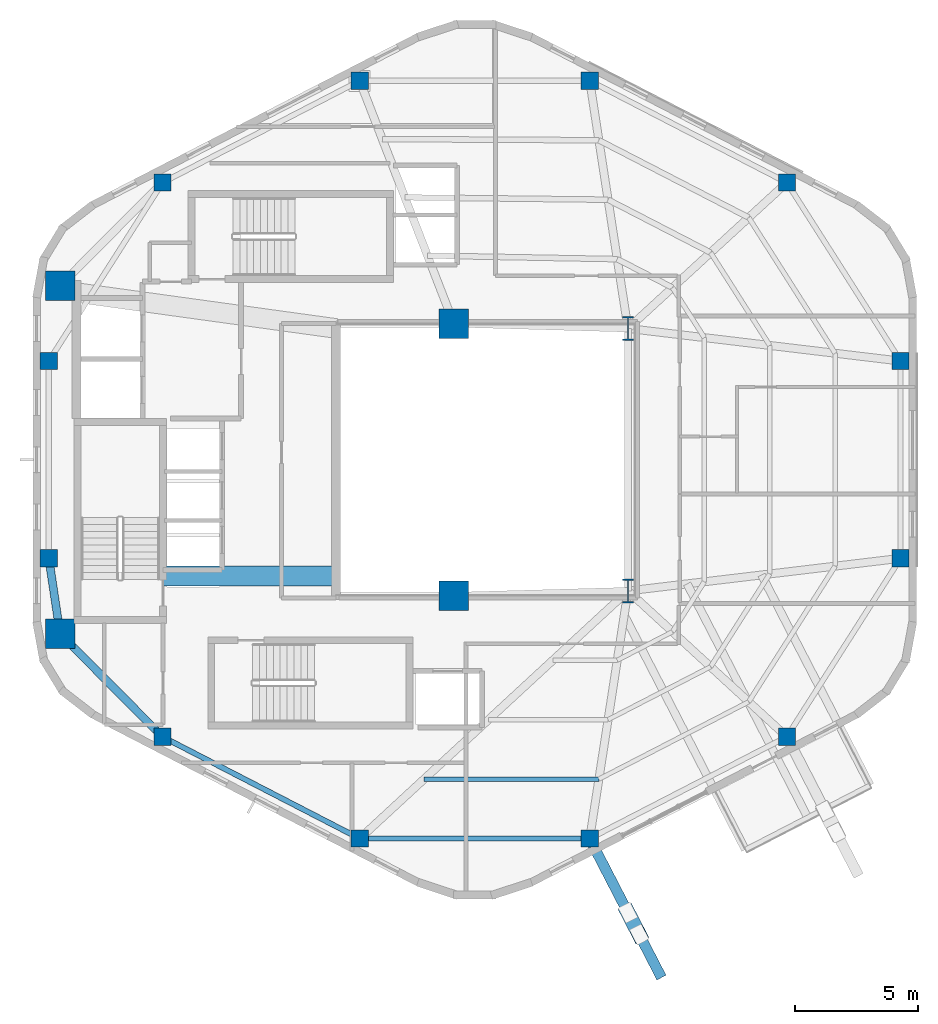
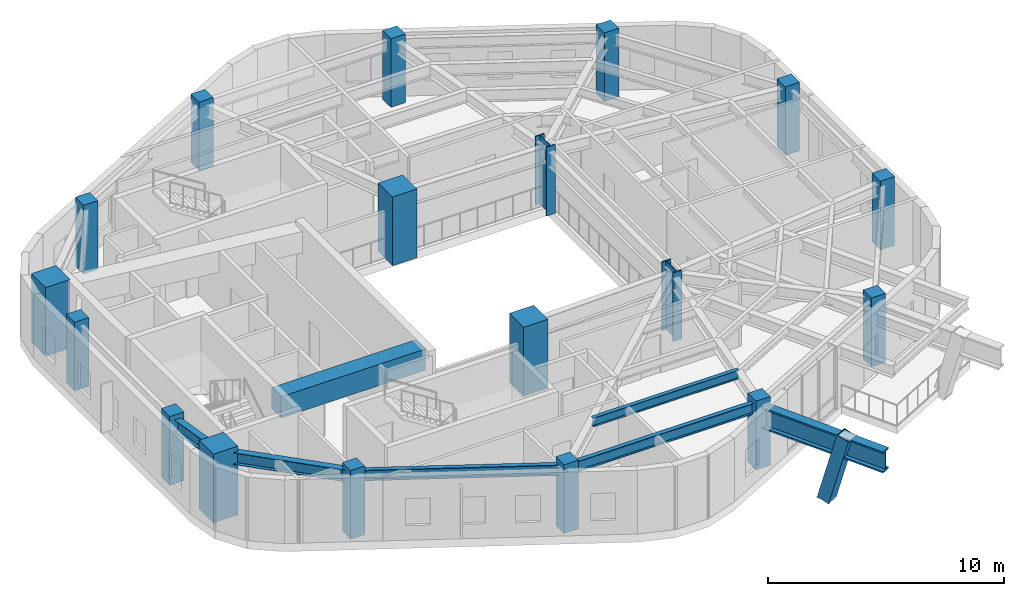
# One storey, part 1 of 9: 18 columns, 7 beams, 1 member.
"""IFC4 building model written with IfcOpenShell, lengths in metres."""

from ifc_helpers import new_model, si_unit, direction, frame, origin, origin_2d, place, context, subcontext, project, spatial, rectangle, hollow_rectangle, i_section, extrude, material, material_profile, profile_set, type_object, element, save


model = new_model("IFC4")

# Units and contexts
model_context = context("Model", 3, precision=1e-05, world=origin(), true_north=direction((0.0, 1.0)))
body_context = subcontext(model_context, "Body", "Model", "MODEL_VIEW")
ifc_project = project(units=[si_unit("LENGTHUNIT", "METRE"), si_unit("AREAUNIT", "SQUARE_METRE"), si_unit("VOLUMEUNIT", "CUBIC_METRE"), si_unit("PLANEANGLEUNIT", "RADIAN"), si_unit("MASSUNIT", "GRAM", prefix="KILO"), si_unit("THERMODYNAMICTEMPERATUREUNIT", "KELVIN"), si_unit("POWERUNIT", "WATT")], contexts=[model_context])

# Site, building, storey
site_placement = place(None, origin())
site = spatial("IfcSite", under=ifc_project, at=site_placement, CompositionType="ELEMENT")
building_placement = place(site_placement, origin())
building = spatial("IfcBuilding", under=site, at=building_placement, Name="Skarre Station Tower", CompositionType="ELEMENT")
storey_placement = place(building_placement, frame((0.0, 0.0, 220.60009765625)))
storey = spatial("IfcBuildingStorey", under=building, at=storey_placement, Name="L60", CompositionType="ELEMENT", Elevation=220.60009765625)

# Columns
ifc_material_1 = material(Name="Concrete C60/75", Category="concrete")
ifc_material_profile_1 = material_profile(ifc_material_1, rectangle(XDim=1.199951171875, YDim=1.199951171875, at=origin_2d()), Name="Concrete C60/75")
ifc_profile_set_1 = profile_set([ifc_material_profile_1], Name="Concrete C60/75")
column_type_1 = type_object("IfcColumnType", Name="RC Structural Column RC-COL-1200X1200", PredefinedType="COLUMN", material=ifc_profile_set_1)
for number, where, z_axis, x_axis, name in (
    (1, (16.300048828125, 16.89990234375, 0.0), (0.0, 0.0, 1.0), (1.0, 0.0, 0.0), "L60 Core Column CC-SW"),
    (2, (16.300048828125, 31.10009765625, 0.0), (0.0, 0.0, 1.0), (1.0, 0.0, 0.0), "L60 Core Column CC-NW"),
    (3, (32.35009765625, 18.449951171875, 0.0), (0.0, 0.0, 1.0), (1.0, 0.0, 0.0), "L60 Core Column CC-SE"),
    (4, (32.35009765625, 29.550048828125, 0.0), (0.0, 0.0, 1.0), (1.0, 0.0, 0.0), "L60 Core Column CC-NE"),
):
    element("IfcColumn", number, at=place(storey_placement, frame(where, z_axis=z_axis, x_axis=x_axis)), inside=storey, type_object=column_type_1, Name=name, PredefinedType="COLUMN", context=body_context, shape_type="SweptSolid", body=[
        extrude(rectangle(XDim=1.199951171875, YDim=1.199951171875, at=origin_2d()), origin(), (0.0, 0.0, 1.0), 3.5498046875),
    ])
ifc_material_2 = material(Name="Concrete C50/60", Category="concrete")
ifc_material_profile_2 = material_profile(ifc_material_2, rectangle(XDim=0.699951171875, YDim=0.699951171875, at=origin_2d()), Name="Concrete C50/60")
ifc_profile_set_2 = profile_set([ifc_material_profile_2], Name="Concrete C50/60")
column_type_2 = type_object("IfcColumnType", Name="RC Structural Column RC-COL-700X700", PredefinedType="COLUMN", material=ifc_profile_set_2)
for number, where, z_axis, x_axis, name in (
    (5, (45.927001953125, 35.298095703125, 0.0), (0.0, 0.0, 1.0), (1.0, 0.0, 0.0), "L60 Zone 4 Perimeter Column F0C1"),
    (6, (37.888916015625, 39.447021484375, 0.0), (0.0, 0.0, 1.0), (1.0, 0.0, 0.0), "L60 Zone 4 Perimeter Column F0C2"),
    (7, (28.510986328125, 39.447021484375, 0.0), (0.0, 0.0, 1.0), (1.0, 0.0, 0.0), "L60 Zone 4 Perimeter Column F1C1"),
    (8, (20.472900390625, 35.298095703125, 0.0), (0.0, 0.0, 1.0), (1.0, 0.0, 0.0), "L60 Zone 4 Perimeter Column F1C2"),
    (9, (15.8369140625, 28.02099609375, 0.0), (0.0, 0.0, 1.0), (1.0, 0.0, 0.0), "L60 Zone 4 Perimeter Column F2C1"),
    (10, (15.8369140625, 19.97900390625, 0.0), (0.0, 0.0, 1.0), (1.0, 0.0, 0.0), "L60 Zone 4 Perimeter Column F2C2"),
    (11, (20.472900390625, 12.701904296875, 0.0), (0.0, 0.0, 1.0), (1.0, 0.0, 0.0), "L60 Zone 4 Perimeter Column F3C1"),
    (12, (28.510986328125, 8.552978515625, 0.0), (0.0, 0.0, 1.0), (1.0, 0.0, 0.0), "L60 Zone 4 Perimeter Column F3C2"),
    (13, (37.888916015625, 8.552978515625, 0.0), (0.0, 0.0, 1.0), (1.0, 0.0, 0.0), "L60 Zone 4 Perimeter Column F4C1"),
    (14, (45.927001953125, 12.701904296875, 0.0), (0.0, 0.0, 1.0), (1.0, 0.0, 0.0), "L60 Zone 4 Perimeter Column F4C2"),
    (15, (50.56298828125, 19.97900390625, 0.0), (0.0, 0.0, 1.0), (1.0, 0.0, 0.0), "L60 Zone 4 Perimeter Column F5C1"),
    (16, (50.56298828125, 28.02099609375, 0.0), (0.0, 0.0, 1.0), (1.0, 0.0, 0.0), "L60 Zone 4 Perimeter Column F5C2"),
):
    element("IfcColumn", number, at=place(storey_placement, frame(where, z_axis=z_axis, x_axis=x_axis)), inside=storey, type_object=column_type_2, Name=name, PredefinedType="COLUMN", context=body_context, shape_type="SweptSolid", body=[
        extrude(rectangle(XDim=0.699951171875, YDim=0.699951171875, at=origin_2d()), origin(), (0.0, 0.0, 1.0), 3.5498046875),
    ])
ifc_material_3 = material(Name="Steel ASTM A913 Grade 65", Category="steel")
ifc_material_profile_3 = material_profile(ifc_material_3, i_section(OverallWidth=0.430908203125, OverallDepth=0.987060546875, WebThickness=0.033935546875, FlangeThickness=0.06201171875, at=origin_2d()), Name="Steel ASTM A913 Grade 65")
ifc_profile_set_3 = profile_set([ifc_material_profile_3], Name="Steel ASTM A913 Grade 65")
column_type_3 = type_object("IfcColumnType", Name="Steel Column W36X441", PredefinedType="COLUMN", material=ifc_profile_set_3)
for number, where, z_axis, x_axis, name in (
    (17, (39.449951171875, 18.64990234375, 0.0), (0.0, 0.0, 1.0), (1.0, 0.0, 0.0), "L60 Atrium Spine Column AC-SE"),
    (18, (39.449951171875, 29.35009765625, 0.0), (0.0, 0.0, 1.0), (1.0, 0.0, 0.0), "L60 Atrium Spine Column AC-NE"),
):
    element("IfcColumn", number, at=place(storey_placement, frame(where, z_axis=z_axis, x_axis=x_axis)), inside=storey, type_object=column_type_3, Name=name, PredefinedType="COLUMN", context=body_context, shape_type="SweptSolid", body=[
        extrude(i_section(OverallWidth=0.430908203125, OverallDepth=0.987060546875, WebThickness=0.033935546875, FlangeThickness=0.06201171875, at=origin_2d()), origin(), (0.0, 0.0, 1.0), 3.5498046875),
    ])

# Beams
ifc_material_4 = material(Name="Concrete C70/85", Category="concrete")
ifc_material_profile_4 = material_profile(ifc_material_4, rectangle(XDim=0.800048828125, YDim=1.10009765625, at=origin_2d()), Name="Concrete C70/85")
ifc_profile_set_4 = profile_set([ifc_material_profile_4], Name="Concrete C70/85")
beam_type_1 = type_object("IfcBeamType", Name="RC Core Coupling Lintel 800x1100", PredefinedType="LINTEL", material=ifc_profile_set_4)
beam_1_placement = place(storey_placement, frame((20.489990234375, 19.260009765625, 2.739990234375), z_axis=(1.0, 0.0, 0.0), x_axis=(0.0, 1.0, 0.0)))
element("IfcBeam", 19, at=beam_1_placement, inside=storey, type_object=beam_type_1, Name="L60 South Core Coupling Lintel", PredefinedType="LINTEL", context=body_context, shape_type="SweptSolid", body=[
    extrude(rectangle(XDim=0.800048828125, YDim=1.10009765625, at=origin_2d()), origin(), (0.0, 0.0, 1.0), 7.06005859375),
])
ifc_material_5 = material(Name="Steel ASTM A992 Grade 50", Category="steel")
ifc_material_profile_5 = material_profile(ifc_material_5, i_section(OverallWidth=0.323974609375, OverallDepth=0.611083984375, WebThickness=0.012939453125, FlangeThickness=0.01904296875, at=origin_2d()), Name="Steel ASTM A992 Grade 50")
ifc_profile_set_5 = profile_set([ifc_material_profile_5], Name="Steel ASTM A992 Grade 50")
beam_type_2 = type_object("IfcBeamType", Name="Steel Beam W24X104", PredefinedType="BEAM", material=ifc_profile_set_5)
beam_2_placement = place(storey_placement, frame((16.300048828125, 16.89990234375, 2.98388671875), z_axis=(-0.148739188492, 0.988876460336, 0.0), x_axis=(-0.988876460336, -0.148739188492, 0.0)))
element("IfcBeam", 20, at=beam_2_placement, inside=storey, type_object=beam_type_2, Name="L60 Radial Floor Girder F2C2", PredefinedType="BEAM", context=body_context, shape_type="SweptSolid", body=[
    extrude(i_section(OverallWidth=0.323974609375, OverallDepth=0.611083984375, WebThickness=0.012939453125, FlangeThickness=0.01904296875, at=origin_2d()), origin(), (0.0, 0.0, 1.0), 3.11376953125),
])
beam_3_placement = place(storey_placement, frame((16.300048828125, 16.89990234375, 2.98388671875), z_axis=(0.704979413242, -0.709227768002, 0.0), x_axis=(0.709227768002, 0.704979413242, 0.0)))
element("IfcBeam", 21, at=beam_3_placement, inside=storey, type_object=beam_type_2, Name="L60 Radial Floor Girder F3C1", PredefinedType="BEAM", context=body_context, shape_type="SweptSolid", body=[
    extrude(i_section(OverallWidth=0.323974609375, OverallDepth=0.611083984375, WebThickness=0.012939453125, FlangeThickness=0.01904296875, at=origin_2d()), origin(), (0.0, 0.0, 1.0), 5.919189453125),
])
ifc_material_profile_6 = material_profile(ifc_material_5, i_section(OverallWidth=0.19091796875, OverallDepth=0.45703125, WebThickness=0.009033203125, FlangeThickness=0.013916015625, at=origin_2d()), Name="Steel ASTM A992 Grade 50")
ifc_profile_set_6 = profile_set([ifc_material_profile_6], Name="Steel ASTM A992 Grade 50")
beam_type_3 = type_object("IfcBeamType", Name="Steel Joist W18X50", PredefinedType="JOIST", material=ifc_profile_set_6)
beam_4_placement = place(storey_placement, frame((31.135986328125, 10.97607421875, 3.060791015625), z_axis=(1.0, 0.0, 0.0), x_axis=(0.0, 1.0, 0.0)))
element("IfcBeam", 22, at=beam_4_placement, inside=storey, type_object=beam_type_3, Name="L60 Auxiliary Composite Joist 14", PredefinedType="JOIST", context=body_context, shape_type="SweptSolid", body=[
    extrude(i_section(OverallWidth=0.19091796875, OverallDepth=0.45703125, WebThickness=0.009033203125, FlangeThickness=0.013916015625, at=origin_2d()), origin(), (0.0, 0.0, 1.0), 7.1279296875),
])
ifc_material_profile_7 = material_profile(ifc_material_5, i_section(OverallWidth=0.214111328125, OverallDepth=0.549072265625, WebThickness=0.014892578125, FlangeThickness=0.02392578125, at=origin_2d()), Name="Steel ASTM A992 Grade 50")
ifc_profile_set_7 = profile_set([ifc_material_profile_7], Name="Steel ASTM A992 Grade 50")
beam_type_4 = type_object("IfcBeamType", Name="Steel Spandrel W21X93", PredefinedType="SPANDREL", material=ifc_profile_set_7)
beam_5_placement = place(storey_placement, frame((20.472900390625, 12.701904296875, 3.014892578125), z_axis=(0.888610011727, -0.458663544505, 0.0), x_axis=(0.458663544505, 0.888610011727, 0.0)))
element("IfcBeam", 23, at=beam_5_placement, inside=storey, type_object=beam_type_4, Name="L60 Facet Spandrel Beam 7", PredefinedType="SPANDREL", context=body_context, shape_type="SweptSolid", body=[
    extrude(i_section(OverallWidth=0.214111328125, OverallDepth=0.549072265625, WebThickness=0.014892578125, FlangeThickness=0.02392578125, at=origin_2d()), origin(), (0.0, 0.0, 1.0), 9.045654296875),
])
beam_6_placement = place(storey_placement, frame((28.510986328125, 8.552978515625, 3.014892578125), z_axis=(1.0, 0.0, 0.0), x_axis=(0.0, 1.0, 0.0)))
element("IfcBeam", 24, at=beam_6_placement, inside=storey, type_object=beam_type_4, Name="L60 Facet Spandrel Beam 8", PredefinedType="SPANDREL", context=body_context, shape_type="SweptSolid", body=[
    extrude(i_section(OverallWidth=0.214111328125, OverallDepth=0.549072265625, WebThickness=0.014892578125, FlangeThickness=0.02392578125, at=origin_2d()), origin(), (0.0, 0.0, 1.0), 9.3779296875),
])
ifc_material_profile_8 = material_profile(ifc_material_3, i_section(OverallWidth=0.424072265625, OverallDepth=1.092041015625, WebThickness=0.044921875, FlangeThickness=0.08203125, at=origin_2d()), Name="Steel ASTM A913 Grade 65")
ifc_profile_set_8 = profile_set([ifc_material_profile_8], Name="Steel ASTM A913 Grade 65")
beam_type_5 = type_object("IfcBeamType", Name="Steel Transfer Girder W40X593", PredefinedType="USERDEFINED", material=ifc_profile_set_8)
beam_7_placement = place(storey_placement, frame((37.888916015625, 8.552978515625, 2.583984375), z_axis=(0.458778404027, -0.888550716616, 0.0), x_axis=(0.888550716616, 0.458778404027, 0.0)))
element("IfcBeam", 25, at=beam_7_placement, inside=storey, type_object=beam_type_5, Name="L60 SB-5 Exoskeleton Tier-1 Transfer Girder S1", ObjectType="TRANSFER_GIRDER", PredefinedType="USERDEFINED", context=body_context, shape_type="SweptSolid", body=[
    extrude(i_section(OverallWidth=0.424072265625, OverallDepth=1.092041015625, WebThickness=0.044921875, FlangeThickness=0.08203125, at=origin_2d()), origin(), (0.0, 0.0, 1.0), 6.3798828125),
])

# Member
ifc_material_6 = material(Name="Steel ASTM A501 Grade B", Category="steel")
ifc_material_profile_9 = material_profile(ifc_material_6, hollow_rectangle(XDim=0.60009765625, YDim=0.60009765625, WallThickness=0.028076171875, at=origin_2d()), Name="Steel ASTM A501 Grade B")
ifc_profile_set_9 = profile_set([ifc_material_profile_9], Name="Steel ASTM A501 Grade B")
member_type = type_object("IfcMemberType", Name="Steel Truss Strut HSS600X600X28", PredefinedType="STRUT", material=ifc_profile_set_9)
member_placement = place(storey_placement, frame((39.448974609375, 5.531982421875, -0.440185546875), z_axis=(0.123536498026, -0.239763533748, 0.962939344684), x_axis=(0.888941422314, 0.45802090312, 0.0)))
element("IfcMember", 26, at=member_placement, inside=storey, type_object=member_type, Name="L60 SB-5 Exoskeleton Raking Strut Tier 1 S1", PredefinedType="STRUT", context=body_context, shape_type="SweptSolid", body=[
    extrude(hollow_rectangle(XDim=0.60009765625, YDim=0.60009765625, WallThickness=0.028076171875, at=origin_2d()), origin(), (0.0, 0.0, 1.0), 3.70751953125),
])

save(model, "model.ifc")
